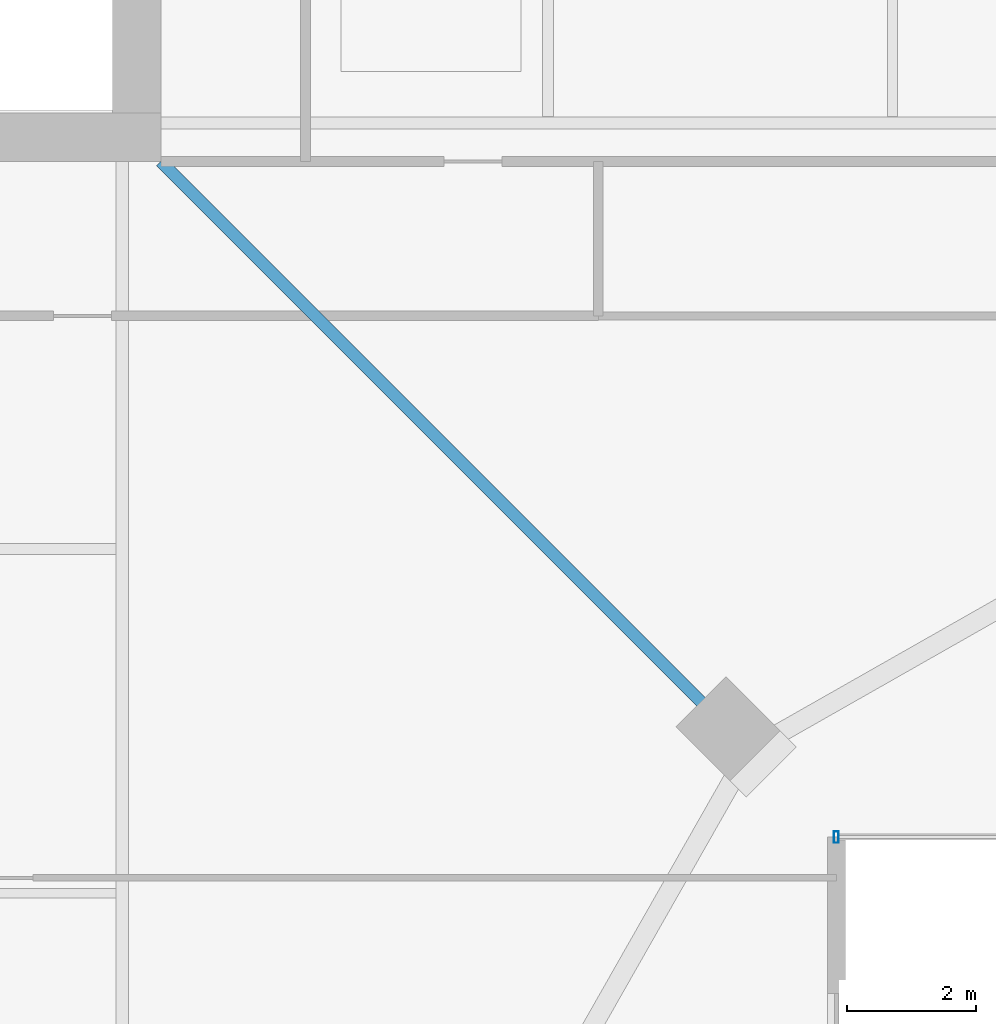
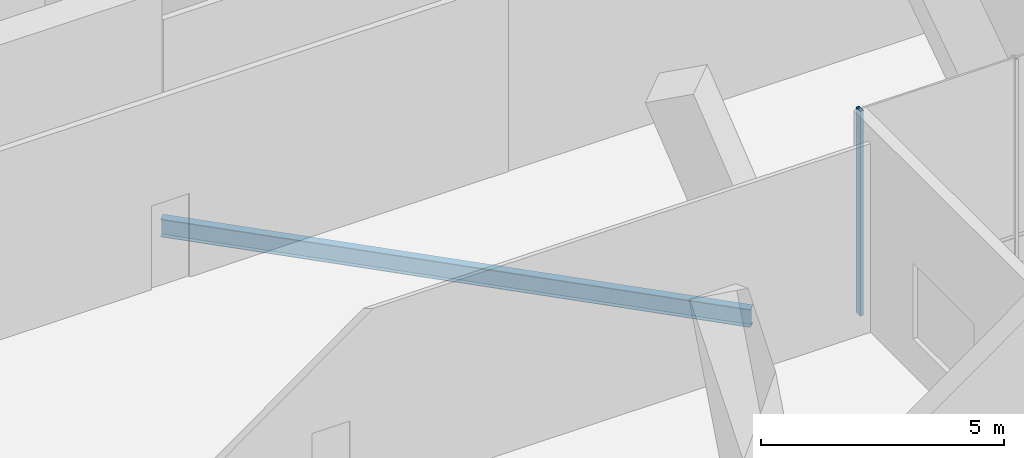
# One storey, part 13 of 33: 1 beam, 1 member, 1 element without a shape of its own.
"""IFC4 building model written with IfcOpenShell, lengths in metres."""

from ifc_helpers import new_model, si_unit, direction, frame, origin, origin_2d, place, context, subcontext, project, spatial, hollow_rectangle, i_section, extrude, material, layer, layer_set, material_profile, profile_set, type_object, element, aggregate, save


model = new_model("IFC4")

# Units and contexts
model_context = context("Model", 3, precision=1e-05, world=origin(), true_north=direction((0.0, 1.0)))
body_context = subcontext(model_context, "Body", "Model", "MODEL_VIEW")
ifc_project = project(units=[si_unit("LENGTHUNIT", "METRE"), si_unit("AREAUNIT", "SQUARE_METRE"), si_unit("VOLUMEUNIT", "CUBIC_METRE"), si_unit("PLANEANGLEUNIT", "RADIAN"), si_unit("MASSUNIT", "GRAM", prefix="KILO")], contexts=[model_context])

# Site, building, storey
site_placement = place(None, origin())
site = spatial("IfcSite", under=ifc_project, at=site_placement, CompositionType="ELEMENT")
building_placement = place(site_placement, origin())
building = spatial("IfcBuilding", under=site, at=building_placement, Name="Belovzor Exchange Tower", CompositionType="ELEMENT")
storey_placement = place(building_placement, frame((0.0, 0.0, 241.199951171875)))
storey = spatial("IfcBuildingStorey", under=building, at=storey_placement, Name="L60", CompositionType="ELEMENT", Elevation=241.199951171875)

# Curtain wall, member
ifc_material_1 = material(Name="Anodised Aluminium Framing", Category="aluminium")
ifc_layer = layer(ifc_material_1, 0.195068359375)
ifc_layer_set = layer_set([ifc_layer], Name="Anodised Aluminium Framing")
curtain_wall_type = type_object("IfcCurtainWallType", Name="Notched Re-Entrant Corner Unitised Curtain Wall", PredefinedType="NOTDEFINED", material=ifc_layer_set)
curtain_wall_placement = place(storey_placement, origin())
curtain_wall = element("IfcCurtainWall", 1, at=curtain_wall_placement, inside=storey, type_object=curtain_wall_type, Name="CW5 Notched Re-Entrant Corner Unitised Curtain Wall L60", PredefinedType="NOTDEFINED")
ifc_material_2 = material(Name="Steel S355", Category="steel")
ifc_material_profile_1 = material_profile(ifc_material_2, hollow_rectangle(XDim=0.074951171875, YDim=0.179931640625, WallThickness=0.0048828125, at=origin_2d()))
ifc_profile_set_1 = profile_set([ifc_material_profile_1], Name="Steel S355")
member_type = type_object("IfcMemberType", Name="Thermally Broken Curtain Wall Mullion 180x75", PredefinedType="MULLION", material=ifc_profile_set_1)
member_placement = place(storey_placement, frame((48.300048828125, 9.300048828125, 0.0), z_axis=(0.0, 0.0, 1.0), x_axis=(-1.0, 0.0, 0.0)))
member = element("IfcMember", 2, at=member_placement, type_object=member_type, Name="CW-M180 Curtain Wall Mullion 3", PredefinedType="MULLION", context=body_context, shape_type="SweptSolid", body=[
    extrude(hollow_rectangle(XDim=0.074951171875, YDim=0.179931640625, WallThickness=0.0048828125, at=origin_2d()), origin(), (0.0, 0.0, 1.0), 5.150146484375),
])
aggregate(curtain_wall, [member])

# Beam
ifc_material_3 = material(Name="Steel S355", Category="steel")
ifc_material_profile_2 = material_profile(ifc_material_3, i_section(OverallWidth=0.18994140625, OverallDepth=0.449951171875, WebThickness=0.009521484375, FlangeThickness=0.0146484375, at=origin_2d()))
ifc_profile_set_2 = profile_set([ifc_material_profile_2], Name="Steel S355")
beam_type = type_object("IfcBeamType", Name="Zone 2-4 Radial Composite Floor Beam IPE 450", PredefinedType="BEAM", material=ifc_profile_set_2)
beam_placement = place(storey_placement, frame((37.800048828125, 19.800048828125, -0.474853515625), z_axis=(0.707106781187, -0.707106781187, 0.0), x_axis=(0.707106781187, 0.707106781187, 0.0)))
element("IfcBeam", 3, at=beam_placement, inside=storey, type_object=beam_type, Name="FB-450 Zone 2-4 Radial Composite Floor Beam IPE 450", PredefinedType="BEAM", context=body_context, shape_type="SweptSolid", body=[
    extrude(i_section(OverallWidth=0.18994140625, OverallDepth=0.449951171875, WebThickness=0.009521484375, FlangeThickness=0.0146484375, at=origin_2d()), origin(), (0.0, 0.0, 1.0), 12.551025390625),
])

save(model, "model.ifc")
